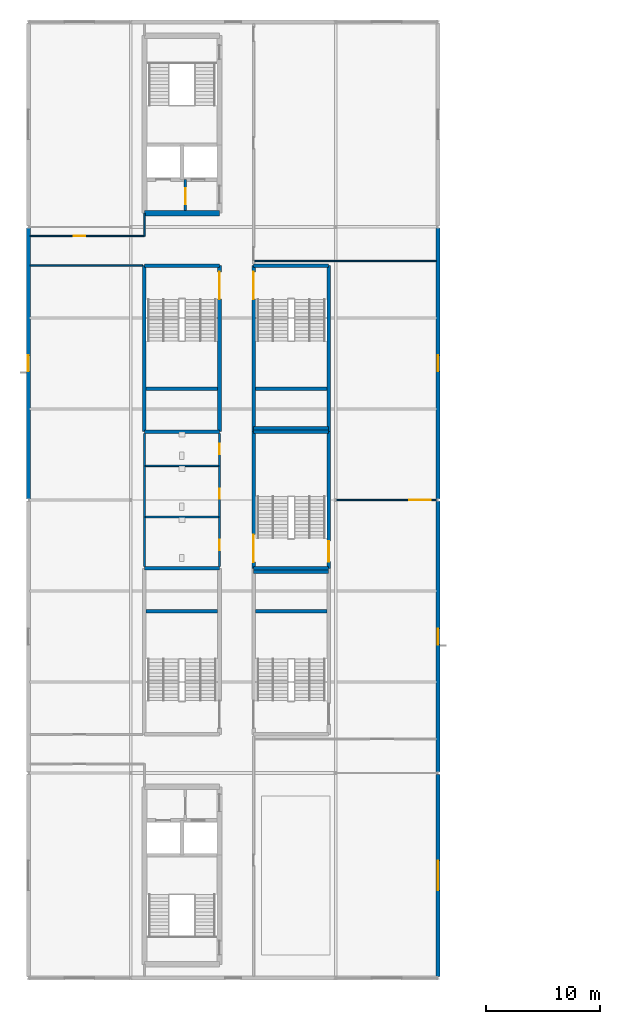
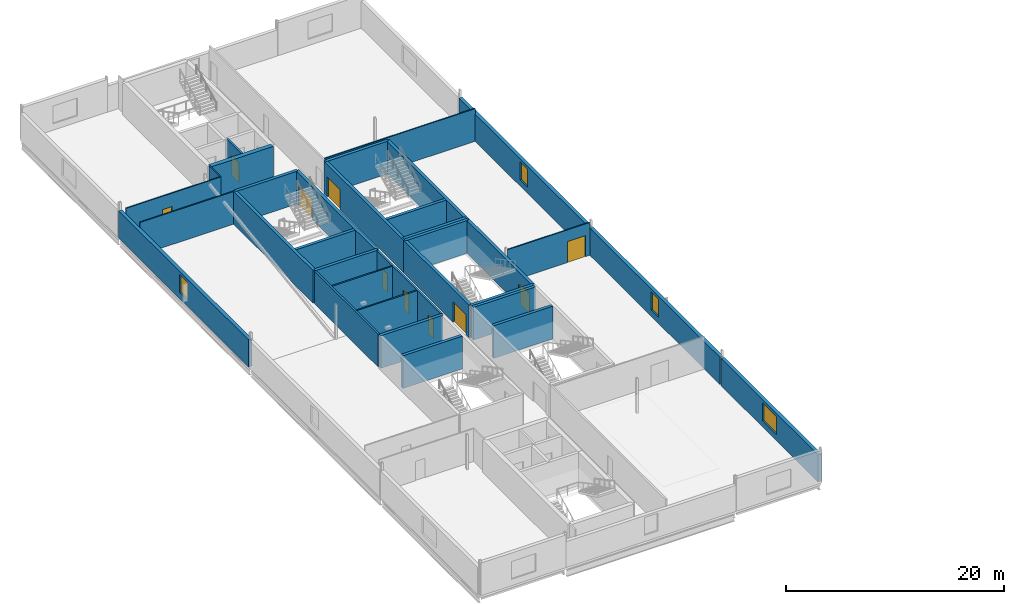
# One storey, part 20 of 35: 33 walls, 10 doors, 4 windows, 14 openings.
"""IFC4 building model written with IfcOpenShell, lengths in metres."""

from ifc_helpers import new_model, si_unit, direction, frame, frame_2d, origin, place, context, subcontext, project, spatial, rectangle, extrude, material, layer, layer_set, type_object, element, fill, save


model = new_model("IFC4")

# Units and contexts
model_context = context("Model", 3, precision=1e-05, world=origin(), true_north=direction((0.0, 1.0)))
body_context = subcontext(model_context, "Body", "Model", "MODEL_VIEW")
ifc_project = project(units=[si_unit("LENGTHUNIT", "METRE"), si_unit("AREAUNIT", "SQUARE_METRE"), si_unit("VOLUMEUNIT", "CUBIC_METRE"), si_unit("PLANEANGLEUNIT", "RADIAN"), si_unit("MASSUNIT", "GRAM", prefix="KILO")], contexts=[model_context])

# Site, building, storey
site_placement = place(None, origin())
site = spatial("IfcSite", under=ifc_project, at=site_placement, CompositionType="ELEMENT")
building_placement = place(site_placement, origin())
building = spatial("IfcBuilding", under=site, at=building_placement, Name="Kisiwana Market Hall", CompositionType="ELEMENT")
storey_placement = place(building_placement, frame((0.0, 0.0, 57.89990234375)))
storey = spatial("IfcBuildingStorey", under=building, at=storey_placement, Name="L13", CompositionType="ELEMENT", Elevation=57.89990234375)

# Wall, opening, door
ifc_material_1 = material(Name="Masonry blockwork", Category="masonry")
ifc_layer_1 = layer(ifc_material_1, 0.199951171875, Name="Plastered fire compartment block wall")
ifc_layer_set_1 = layer_set([ifc_layer_1], Name="WL-COMP-200")
wall_type_1 = type_object("IfcWallType", Name="WL-COMP-200", PredefinedType="PARTITIONING", material=ifc_layer_set_1)
wall_1_placement = place(storey_placement, frame((13.800048828125, 85.425048828125, 0.0), z_axis=(0.0, 0.0, 1.0), x_axis=(0.0, 1.0, 0.0)))
wall_1 = element("IfcWall", 1, at=wall_1_placement, inside=storey, type_object=wall_type_1, Name="Core W1 firefighting lobby wall W-3162", PredefinedType="PARTITIONING", context=body_context, shape_type="SweptSolid", body=[
    extrude(rectangle(XDim=2.72998046875, YDim=0.199951171875, at=frame_2d((1.364990234375, 0.0))), origin(), (0.0, 0.0, 1.0), 3.655029296875),
])
opening_1_placement = place(wall_1_placement, frame((0.550048828125, 0.0, 0.0)))
opening_1 = element("IfcOpeningElement", 2, at=opening_1_placement, cuts=wall_1, Name="Opening DR-L13-006", PredefinedType="OPENING", context=body_context, shape_type="SweptSolid", body=[
    extrude(rectangle(XDim=1.39990234375, YDim=2.25, at=frame_2d((0.699951171875, 1.125))), frame((0.0, 0.11181640625, 0.0), z_axis=(0.0, -1.0, 0.0), x_axis=(1.0, 0.0, 0.0)), (0.0, 0.0, 1.0), 0.223876953125),
])
ifc_material_2 = material(Name="Steel S275", Category="steel")
door_type_1 = type_object("IfcDoorType", Name="DR-FFLOB-FD120-1400", OperationType="DOUBLE_DOOR_SINGLE_SWING", PredefinedType="DOOR", material=ifc_material_2)
door_1_placement = place(opening_1_placement, frame((1.39990234375, 0.0, 0.0), z_axis=(0.0, 0.0, 1.0), x_axis=(-1.0, 0.0, 0.0)))
door_1 = element("IfcDoor", 3, at=door_1_placement, inside=storey, type_object=door_type_1, Name="Firefighting Lift Lobby W1 Door (L13)", OperationType="DOUBLE_DOOR_SINGLE_SWING", OverallHeight=2.25, OverallWidth=1.39990234375, PredefinedType="DOOR", context=body_context, shape_type="SweptSolid", body=[
    extrude(rectangle(XDim=1.39990234375, YDim=2.25, at=frame_2d((0.699951171875, 1.125))), frame((0.0, 0.02490234375, 0.0), z_axis=(0.0, -1.0, 0.0), x_axis=(1.0, 0.0, 0.0)), (0.0, 0.0, 1.0), 0.050048828125),
])
fill(opening_1, door_1)

# Wall
wall_2_placement = place(storey_placement, frame((10.199951171875, 54.159912109375, 0.0), z_axis=(0.0, 0.0, 1.0), x_axis=(0.0, 1.0, 0.0)))
element("IfcWall", 4, at=wall_2_placement, inside=storey, type_object=wall_type_1, Name="Interior partition W-3165", PredefinedType="PARTITIONING", context=body_context, shape_type="SweptSolid", body=[
    extrude(rectangle(XDim=11.68017578125, YDim=0.199951171875, at=frame_2d((5.840087890625, 0.0))), origin(), (0.0, 0.0, 1.0), 3.655029296875),
])

# Wall, openings, doors
wall_3_placement = place(storey_placement, frame((16.800048828125, 54.159912109375, 0.0), z_axis=(0.0, 0.0, 1.0), x_axis=(0.0, 1.0, 0.0)))
wall_3 = element("IfcWall", 5, at=wall_3_placement, inside=storey, type_object=wall_type_1, Name="Interior partition W-3166", PredefinedType="PARTITIONING", context=body_context, shape_type="SweptSolid", body=[
    extrude(rectangle(XDim=11.68017578125, YDim=0.199951171875, at=frame_2d((5.840087890625, 0.0))), origin(), (0.0, 0.0, 1.0), 3.655029296875),
])
opening_2_placement = place(wall_3_placement, frame((1.43994140625, 0.0, 0.0)))
opening_2 = element("IfcOpeningElement", 6, at=opening_2_placement, cuts=wall_3, Name="Opening DR-L13-027", PredefinedType="OPENING", context=body_context, shape_type="SweptSolid", body=[
    extrude(rectangle(XDim=0.89990234375, YDim=2.10009765625, at=frame_2d((0.449951171875, 1.050048828125))), frame((0.0, 0.11181640625, 0.0), z_axis=(0.0, -1.0, 0.0), x_axis=(1.0, 0.0, 0.0)), (0.0, 0.0, 1.0), 0.223876953125),
])
opening_3_placement = place(wall_3_placement, frame((5.93994140625, 0.0, 0.0)))
opening_3 = element("IfcOpeningElement", 7, at=opening_3_placement, cuts=wall_3, Name="Opening DR-L13-028", PredefinedType="OPENING", context=body_context, shape_type="SweptSolid", body=[
    extrude(rectangle(XDim=0.89990234375, YDim=2.10009765625, at=frame_2d((0.449951171875, 1.050048828125))), frame((0.0, 0.11181640625, 0.0), z_axis=(0.0, -1.0, 0.0), x_axis=(1.0, 0.0, 0.0)), (0.0, 0.0, 1.0), 0.223876953125),
])
opening_4_placement = place(wall_3_placement, frame((9.840087890625, 0.0, 0.0)))
opening_4 = element("IfcOpeningElement", 8, at=opening_4_placement, cuts=wall_3, Name="Opening DR-L13-029", PredefinedType="OPENING", context=body_context, shape_type="SweptSolid", body=[
    extrude(rectangle(XDim=0.949951171875, YDim=2.10009765625, at=frame_2d((0.47509765625, 1.050048828125))), frame((0.0, 0.11181640625, 0.0), z_axis=(0.0, -1.0, 0.0), x_axis=(1.0, 0.0, 0.0)), (0.0, 0.0, 1.0), 0.223876953125),
])
ifc_material_3 = material(Name="Aluminium alloy 6063-T6", Category="aluminium")
door_type_2 = type_object("IfcDoorType", Name="DR-WC-ACC-950", OperationType="NOTDEFINED", PredefinedType="DOOR", material=ifc_material_3)
door_2_placement = place(opening_4_placement, origin())
door_2 = element("IfcDoor", 9, at=door_2_placement, inside=storey, type_object=door_type_2, Name="L13 W Accessible WC Door", OperationType="SINGLE_SWING_RIGHT", OverallHeight=2.10009765625, OverallWidth=0.949951171875, PredefinedType="DOOR", context=body_context, shape_type="SweptSolid", body=[
    extrude(rectangle(XDim=0.949951171875, YDim=2.10009765625, at=frame_2d((0.47509765625, 1.050048828125))), frame((0.0, 0.02490234375, 0.0), z_axis=(0.0, -1.0, 0.0), x_axis=(1.0, 0.0, 0.0)), (0.0, 0.0, 1.0), 0.050048828125),
])
fill(opening_4, door_2)
ifc_material_4 = material(Name="Aluminium alloy 6063-T6", Category="aluminium")
door_type_3 = type_object("IfcDoorType", Name="DR-WC-STD-900", OperationType="NOTDEFINED", PredefinedType="DOOR", material=ifc_material_4)
door_3_placement = place(opening_2_placement, origin())
door_3 = element("IfcDoor", 10, at=door_3_placement, inside=storey, type_object=door_type_3, Name="L13 W Male Toilet Door", OperationType="SINGLE_SWING_LEFT", OverallHeight=2.10009765625, OverallWidth=0.89990234375, PredefinedType="DOOR", context=body_context, shape_type="SweptSolid", body=[
    extrude(rectangle(XDim=0.89990234375, YDim=2.10009765625, at=frame_2d((0.449951171875, 1.050048828125))), frame((0.0, 0.02490234375, 0.0), z_axis=(0.0, -1.0, 0.0), x_axis=(1.0, 0.0, 0.0)), (0.0, 0.0, 1.0), 0.050048828125),
])
fill(opening_2, door_3)
door_4_placement = place(opening_3_placement, origin())
door_4 = element("IfcDoor", 11, at=door_4_placement, inside=storey, type_object=door_type_3, Name="L13 W Female Toilet Door", OperationType="SINGLE_SWING_RIGHT", OverallHeight=2.10009765625, OverallWidth=0.89990234375, PredefinedType="DOOR", context=body_context, shape_type="SweptSolid", body=[
    extrude(rectangle(XDim=0.89990234375, YDim=2.10009765625, at=frame_2d((0.449951171875, 1.050048828125))), frame((0.0, 0.02490234375, 0.0), z_axis=(0.0, -1.0, 0.0), x_axis=(1.0, 0.0, 0.0)), (0.0, 0.0, 1.0), 0.050048828125),
])
fill(opening_3, door_4)

# Walls
ifc_material_5 = material(Name="Concrete C40/50", Category="concrete")
ifc_layer_2 = layer(ifc_material_5, 0.320068359375, Name="Reinforced concrete shaft wall")
ifc_layer_set_2 = layer_set([ifc_layer_2], Name="WL-CORE-320")
wall_type_2 = type_object("IfcWallType", Name="WL-CORE-320", PredefinedType="SHEAR", material=ifc_layer_set_2)
wall_4_placement = place(storey_placement, frame((10.199951171875, 54.0, 0.0), z_axis=(0.0, 0.0, 1.0), x_axis=(1.0, 0.0, 0.0)))
element("IfcWall", 12, at=wall_4_placement, inside=storey, type_object=wall_type_2, Name="Core W3 north shear wall W-3086", PredefinedType="SHEAR", context=body_context, shape_type="SweptSolid", body=[
    extrude(rectangle(XDim=6.60009765625, YDim=0.320068359375, at=frame_2d((3.300048828125, 0.0))), origin(), (0.0, 0.0, 1.0), 3.655029296875),
])
wall_5_placement = place(storey_placement, frame((10.360107421875, 50.219970703125, 0.0), z_axis=(0.0, 0.0, 1.0), x_axis=(1.0, 0.0, 0.0)))
element("IfcWall", 13, at=wall_5_placement, inside=storey, type_object=wall_type_2, Name="Core W3 riser divider shear wall W-3089", PredefinedType="SHEAR", context=body_context, shape_type="SweptSolid", body=[
    extrude(rectangle(XDim=6.27978515625, YDim=0.320068359375, at=frame_2d((3.139892578125, 0.0))), origin(), (0.0, 0.0, 1.0), 3.655029296875),
])
for number, where, z_axis, x_axis, name in (
    (14, (10.199951171875, 66.0, 0.0), (0.0, 0.0, 1.0), (1.0, 0.0, 0.0), "Core W4 south shear wall W-3090"),
    (15, (10.199951171875, 80.60009765625, 0.0), (0.0, 0.0, 1.0), (1.0, 0.0, 0.0), "Core W4 north shear wall W-3091"),
):
    element("IfcWall", number, at=place(storey_placement, frame(where, z_axis=z_axis, x_axis=x_axis)), inside=storey, type_object=wall_type_2, Name=name, PredefinedType="SHEAR", context=body_context, shape_type="SweptSolid", body=[
        extrude(rectangle(XDim=6.60009765625, YDim=0.320068359375, at=frame_2d((3.300048828125, 0.0))), origin(), (0.0, 0.0, 1.0), 3.655029296875),
    ])
wall_6_placement = place(storey_placement, frame((10.199951171875, 66.0, 0.0), z_axis=(0.0, 0.0, 1.0), x_axis=(0.0, 1.0, 0.0)))
element("IfcWall", 16, at=wall_6_placement, inside=storey, type_object=wall_type_2, Name="Core W4 outer shear wall W-3092", PredefinedType="SHEAR", context=body_context, shape_type="SweptSolid", body=[
    extrude(rectangle(XDim=14.60009765625, YDim=0.320068359375, at=frame_2d((7.300048828125, 0.0))), origin(), (0.0, 0.0, 1.0), 3.655029296875),
])

# Wall, opening, door
wall_7_placement = place(storey_placement, frame((16.800048828125, 66.0, 0.0), z_axis=(0.0, 0.0, 1.0), x_axis=(0.0, 1.0, 0.0)))
wall_7 = element("IfcWall", 17, at=wall_7_placement, inside=storey, type_object=wall_type_2, Name="Core W4 corridor shear wall W-3093", PredefinedType="SHEAR", context=body_context, shape_type="SweptSolid", body=[
    extrude(rectangle(XDim=14.60009765625, YDim=0.320068359375, at=frame_2d((7.300048828125, 0.0))), origin(), (0.0, 0.0, 1.0), 3.655029296875),
])
opening_5_placement = place(wall_7_placement, frame((11.64990234375, 0.0, 0.0)))
opening_5 = element("IfcOpeningElement", 18, at=opening_5_placement, cuts=wall_7, Name="Opening DR-L13-014", PredefinedType="OPENING", context=body_context, shape_type="SweptSolid", body=[
    extrude(rectangle(XDim=2.39990234375, YDim=2.25, at=frame_2d((1.199951171875, 1.125))), frame((0.0, 0.171875, 0.0), z_axis=(0.0, -1.0, 0.0), x_axis=(1.0, 0.0, 0.0)), (0.0, 0.0, 1.0), 0.343994140625),
])
ifc_material_6 = material(Name="Steel S275", Category="steel")
door_type_4 = type_object("IfcDoorType", Name="DR-STAIR-FD120-2400", OperationType="DOUBLE_DOOR_SINGLE_SWING", PredefinedType="DOOR", material=ifc_material_6)
door_5_placement = place(opening_5_placement, origin())
door_5 = element("IfcDoor", 19, at=door_5_placement, inside=storey, type_object=door_type_4, Name="Escape Stair W4 Fire Door (L13)", OperationType="DOUBLE_DOOR_SINGLE_SWING", OverallHeight=2.25, OverallWidth=2.39990234375, PredefinedType="DOOR", context=body_context, shape_type="SweptSolid", body=[
    extrude(rectangle(XDim=2.39990234375, YDim=2.25, at=frame_2d((1.199951171875, 1.125))), frame((0.0, 0.02490234375, 0.0), z_axis=(0.0, -1.0, 0.0), x_axis=(1.0, 0.0, 0.0)), (0.0, 0.0, 1.0), 0.050048828125),
])
fill(opening_5, door_5)

# Walls
wall_8_placement = place(storey_placement, frame((10.360107421875, 69.780029296875, 0.0), z_axis=(0.0, 0.0, 1.0), x_axis=(1.0, 0.0, 0.0)))
element("IfcWall", 20, at=wall_8_placement, inside=storey, type_object=wall_type_2, Name="Core W4 riser divider shear wall W-3094", PredefinedType="SHEAR", context=body_context, shape_type="SweptSolid", body=[
    extrude(rectangle(XDim=6.27978515625, YDim=0.320068359375, at=frame_2d((3.139892578125, 0.0))), origin(), (0.0, 0.0, 1.0), 3.655029296875),
])
wall_9_placement = place(storey_placement, frame((19.800048828125, 54.0, 0.0), z_axis=(0.0, 0.0, 1.0), x_axis=(1.0, 0.0, 0.0)))
element("IfcWall", 21, at=wall_9_placement, inside=storey, type_object=wall_type_2, Name="Core W7 north shear wall W-3106", PredefinedType="SHEAR", context=body_context, shape_type="SweptSolid", body=[
    extrude(rectangle(XDim=6.599853515625, YDim=0.320068359375, at=frame_2d((3.2998046875, 0.0))), origin(), (0.0, 0.0, 1.0), 3.655029296875),
])
wall_10_placement = place(storey_placement, frame((19.9599609375, 50.219970703125, 0.0), z_axis=(0.0, 0.0, 1.0), x_axis=(1.0, 0.0, 0.0)))
element("IfcWall", 22, at=wall_10_placement, inside=storey, type_object=wall_type_2, Name="Core W7 riser divider shear wall W-3109", PredefinedType="SHEAR", context=body_context, shape_type="SweptSolid", body=[
    extrude(rectangle(XDim=6.280029296875, YDim=0.320068359375, at=frame_2d((3.14013671875, 0.0))), origin(), (0.0, 0.0, 1.0), 3.655029296875),
])
for number, where, z_axis, x_axis, name in (
    (23, (19.800048828125, 66.0, 0.0), (0.0, 0.0, 1.0), (1.0, 0.0, 0.0), "Core W8 south shear wall W-3115"),
    (24, (19.800048828125, 80.60009765625, 0.0), (0.0, 0.0, 1.0), (1.0, 0.0, 0.0), "Core W8 north shear wall W-3116"),
):
    element("IfcWall", number, at=place(storey_placement, frame(where, z_axis=z_axis, x_axis=x_axis)), inside=storey, type_object=wall_type_2, Name=name, PredefinedType="SHEAR", context=body_context, shape_type="SweptSolid", body=[
        extrude(rectangle(XDim=6.599853515625, YDim=0.320068359375, at=frame_2d((3.2998046875, 0.0))), origin(), (0.0, 0.0, 1.0), 3.655029296875),
    ])

# Wall, opening, door
wall_11_placement = place(storey_placement, frame((19.800048828125, 66.0, 0.0), z_axis=(0.0, 0.0, 1.0), x_axis=(0.0, 1.0, 0.0)))
wall_11 = element("IfcWall", 25, at=wall_11_placement, inside=storey, type_object=wall_type_2, Name="Core W8 corridor shear wall W-3117", PredefinedType="SHEAR", context=body_context, shape_type="SweptSolid", body=[
    extrude(rectangle(XDim=14.60009765625, YDim=0.320068359375, at=frame_2d((7.300048828125, 0.0))), origin(), (0.0, 0.0, 1.0), 3.655029296875),
])
opening_6_placement = place(wall_11_placement, frame((11.64990234375, 0.0, 0.0)))
opening_6 = element("IfcOpeningElement", 26, at=opening_6_placement, cuts=wall_11, Name="Opening DR-L13-021", PredefinedType="OPENING", context=body_context, shape_type="SweptSolid", body=[
    extrude(rectangle(XDim=2.39990234375, YDim=2.25, at=frame_2d((1.199951171875, 1.125))), frame((0.0, 0.171875, 0.0), z_axis=(0.0, -1.0, 0.0), x_axis=(1.0, 0.0, 0.0)), (0.0, 0.0, 1.0), 0.343994140625),
])
door_6_placement = place(opening_6_placement, frame((2.39990234375, 0.0, 0.0), z_axis=(0.0, 0.0, 1.0), x_axis=(-1.0, 0.0, 0.0)))
door_6 = element("IfcDoor", 27, at=door_6_placement, inside=storey, type_object=door_type_4, Name="Escape Stair W8 Fire Door (L13)", OperationType="DOUBLE_DOOR_SINGLE_SWING", OverallHeight=2.25, OverallWidth=2.39990234375, PredefinedType="DOOR", context=body_context, shape_type="SweptSolid", body=[
    extrude(rectangle(XDim=2.39990234375, YDim=2.25, at=frame_2d((1.199951171875, 1.125))), frame((0.0, 0.02490234375, 0.0), z_axis=(0.0, -1.0, 0.0), x_axis=(1.0, 0.0, 0.0)), (0.0, 0.0, 1.0), 0.050048828125),
])
fill(opening_6, door_6)

# Walls
wall_12_placement = place(storey_placement, frame((26.39990234375, 66.0, 0.0), z_axis=(0.0, 0.0, 1.0), x_axis=(0.0, 1.0, 0.0)))
element("IfcWall", 28, at=wall_12_placement, inside=storey, type_object=wall_type_2, Name="Core W8 outer shear wall W-3118", PredefinedType="SHEAR", context=body_context, shape_type="SweptSolid", body=[
    extrude(rectangle(XDim=14.60009765625, YDim=0.320068359375, at=frame_2d((7.300048828125, 0.0))), origin(), (0.0, 0.0, 1.0), 3.655029296875),
])
wall_13_placement = place(storey_placement, frame((19.9599609375, 69.780029296875, 0.0), z_axis=(0.0, 0.0, 1.0), x_axis=(1.0, 0.0, 0.0)))
element("IfcWall", 29, at=wall_13_placement, inside=storey, type_object=wall_type_2, Name="Core W8 riser divider shear wall W-3119", PredefinedType="SHEAR", context=body_context, shape_type="SweptSolid", body=[
    extrude(rectangle(XDim=6.280029296875, YDim=0.320068359375, at=frame_2d((3.14013671875, 0.0))), origin(), (0.0, 0.0, 1.0), 3.655029296875),
])
for number, where, z_axis, x_axis, name in (
    (30, (19.800048828125, 53.679931640625, 0.0), (0.0, 0.0, 1.0), (1.0, 0.0, 0.0), "Core W5 south shear wall W-3125"),
    (31, (19.800048828125, 66.320068359375, 0.0), (0.0, 0.0, 1.0), (1.0, 0.0, 0.0), "Core W5 north shear wall W-3126"),
):
    element("IfcWall", number, at=place(storey_placement, frame(where, z_axis=z_axis, x_axis=x_axis)), inside=storey, type_object=wall_type_2, Name=name, PredefinedType="SHEAR", context=body_context, shape_type="SweptSolid", body=[
        extrude(rectangle(XDim=6.599853515625, YDim=0.320068359375, at=frame_2d((3.2998046875, 0.0))), origin(), (0.0, 0.0, 1.0), 3.655029296875),
    ])

# Wall, opening, door
wall_14_placement = place(storey_placement, frame((19.800048828125, 54.0, 0.0), z_axis=(0.0, 0.0, 1.0), x_axis=(0.0, 1.0, 0.0)))
wall_14 = element("IfcWall", 32, at=wall_14_placement, inside=storey, type_object=wall_type_2, Name="Core W5 corridor shear wall W-3127", PredefinedType="SHEAR", context=body_context, shape_type="SweptSolid", body=[
    extrude(rectangle(XDim=12.0, YDim=0.320068359375, at=frame_2d((6.0, 0.0))), origin(), (0.0, 0.0, 1.0), 3.655029296875),
])
opening_7_placement = place(wall_14_placement, frame((0.550048828125, 0.0, 0.0)))
opening_7 = element("IfcOpeningElement", 33, at=opening_7_placement, cuts=wall_14, Name="Opening DR-L13-023", PredefinedType="OPENING", context=body_context, shape_type="SweptSolid", body=[
    extrude(rectangle(XDim=2.39990234375, YDim=2.25, at=frame_2d((1.199951171875, 1.125))), frame((0.0, 0.171875, 0.0), z_axis=(0.0, -1.0, 0.0), x_axis=(1.0, 0.0, 0.0)), (0.0, 0.0, 1.0), 0.343994140625),
])
door_7_placement = place(opening_7_placement, frame((2.39990234375, 0.0, 0.0), z_axis=(0.0, 0.0, 1.0), x_axis=(-1.0, 0.0, 0.0)))
door_7 = element("IfcDoor", 34, at=door_7_placement, inside=storey, type_object=door_type_4, Name="Escape Stair W5 Fire Door (L13)", OperationType="DOUBLE_DOOR_SINGLE_SWING", OverallHeight=2.25, OverallWidth=2.39990234375, PredefinedType="DOOR", context=body_context, shape_type="SweptSolid", body=[
    extrude(rectangle(XDim=2.39990234375, YDim=2.25, at=frame_2d((1.199951171875, 1.125))), frame((0.0, 0.02490234375, 0.0), z_axis=(0.0, -1.0, 0.0), x_axis=(1.0, 0.0, 0.0)), (0.0, 0.0, 1.0), 0.050048828125),
])
fill(opening_7, door_7)

wall_15_placement = place(storey_placement, frame((26.39990234375, 54.0, 0.0), z_axis=(0.0, 0.0, 1.0), x_axis=(0.0, 1.0, 0.0)))
wall_15 = element("IfcWall", 35, at=wall_15_placement, inside=storey, type_object=wall_type_2, Name="Core W5 outer shear wall W-3128", PredefinedType="SHEAR", context=body_context, shape_type="SweptSolid", body=[
    extrude(rectangle(XDim=12.0, YDim=0.320068359375, at=frame_2d((6.0, 0.0))), origin(), (0.0, 0.0, 1.0), 3.655029296875),
])
opening_8_placement = place(wall_15_placement, frame((0.580078125, 0.0, 0.0)))
opening_8 = element("IfcOpeningElement", 36, at=opening_8_placement, cuts=wall_15, Name="Opening DR-L13-024", PredefinedType="OPENING", context=body_context, shape_type="SweptSolid", body=[
    extrude(rectangle(XDim=1.800048828125, YDim=2.25, at=frame_2d((0.89990234375, 1.125))), frame((0.0, 0.171875, 0.0), z_axis=(0.0, -1.0, 0.0), x_axis=(1.0, 0.0, 0.0)), (0.0, 0.0, 1.0), 0.343994140625),
])
ifc_material_7 = material(Name="Steel S275", Category="steel")
door_type_5 = type_object("IfcDoorType", Name="DR-STAIR-FD120-1800", OperationType="DOUBLE_DOOR_SINGLE_SWING", PredefinedType="DOOR", material=ifc_material_7)
door_8_placement = place(opening_8_placement, origin())
door_8 = element("IfcDoor", 37, at=door_8_placement, inside=storey, type_object=door_type_5, Name="Escape Stair W5 Room Door (L13)", OperationType="DOUBLE_DOOR_SINGLE_SWING", OverallHeight=2.25, OverallWidth=1.800048828125, PredefinedType="DOOR", context=body_context, shape_type="SweptSolid", body=[
    extrude(rectangle(XDim=1.800048828125, YDim=2.25, at=frame_2d((0.89990234375, 1.125))), frame((0.0, 0.02490234375, 0.0), z_axis=(0.0, -1.0, 0.0), x_axis=(1.0, 0.0, 0.0)), (0.0, 0.0, 1.0), 0.050048828125),
])
fill(opening_8, door_8)

# Wall
ifc_material_8 = material(Name="Concrete C40/50", Category="concrete")
ifc_layer_3 = layer(ifc_material_8, 0.449951171875, Name="Reinforced concrete core wall")
ifc_layer_set_3 = layer_set([ifc_layer_3], Name="WL-CORE-450")
wall_type_3 = type_object("IfcWallType", Name="WL-CORE-450", PredefinedType="SHEAR", material=ifc_layer_set_3)
wall_16_placement = place(storey_placement, frame((10.199951171875, 85.199951171875, 0.0), z_axis=(0.0, 0.0, 1.0), x_axis=(1.0, 0.0, 0.0)))
element("IfcWall", 38, at=wall_16_placement, inside=storey, type_object=wall_type_3, Name="Core W1 south shear wall W-3058", PredefinedType="SHEAR", context=body_context, shape_type="SweptSolid", body=[
    extrude(rectangle(XDim=6.60009765625, YDim=0.449951171875, at=frame_2d((3.300048828125, 0.0))), origin(), (0.0, 0.0, 1.0), 3.655029296875),
])

# Wall, opening, window
ifc_material_9 = material(Name="Concrete C40/50 precast", Category="concrete")
ifc_layer_4 = layer(ifc_material_9, 0.364990234375)
ifc_layer_set_4 = layer_set([ifc_layer_4], Name="WL-EXT-365")
wall_type_4 = type_object("IfcWallType", Name="WL-EXT-365", PredefinedType="STANDARD", material=ifc_layer_set_4)
wall_17_placement = place(storey_placement, frame((0.0, 60.107666015625, 0.0), z_axis=(0.0, 0.0, 1.0), x_axis=(0.0, 1.0, 0.0)))
wall_17 = element("IfcWall", 39, at=wall_17_placement, inside=storey, type_object=wall_type_4, Name="Exterior wall W-3147", PredefinedType="STANDARD", context=body_context, shape_type="SweptSolid", body=[
    extrude(rectangle(XDim=23.78466796875, YDim=0.364990234375, at=frame_2d((11.892333984375, 0.0))), origin(), (0.0, 0.0, 1.0), 3.04296875),
])
opening_9_placement = place(wall_17_placement, frame((11.1923828125, 0.0, 0.699951171875)))
opening_9 = element("IfcOpeningElement", 40, at=opening_9_placement, cuts=wall_17, Name="Opening WN-05", PredefinedType="OPENING", context=body_context, shape_type="SweptSolid", body=[
    extrude(rectangle(XDim=1.39990234375, YDim=2.0, at=frame_2d((0.699951171875, 1.0))), frame((0.0, 0.1943359375, 0.0), z_axis=(0.0, -1.0, 0.0), x_axis=(1.0, 0.0, 0.0)), (0.0, 0.0, 1.0), 0.388916015625),
])
ifc_material_10 = material(Name="Double-glazed solar-control low-E IGU", Category="glass")
window_type_1 = type_object("IfcWindowType", Name="WN-OFFC-1400x2000", PartitioningType="SINGLE_PANEL", PredefinedType="WINDOW", material=ifc_material_10)
window_1_placement = place(opening_9_placement, origin())
window_1 = element("IfcWindow", 41, at=window_1_placement, inside=storey, type_object=window_type_1, Name="Exterior window WN-359", OverallHeight=2.0, OverallWidth=1.39990234375, PartitioningType="SINGLE_PANEL", PredefinedType="WINDOW", context=body_context, shape_type="SweptSolid", body=[
    extrude(rectangle(XDim=1.39990234375, YDim=2.0, at=frame_2d((0.699951171875, 1.0))), frame((0.0, 0.030029296875, 0.0), z_axis=(0.0, -1.0, 0.0), x_axis=(1.0, 0.0, 0.0)), (0.0, 0.0, 1.0), 0.06005859375),
])
fill(opening_9, window_1)

wall_18_placement = place(storey_placement, frame((36.0, 18.107666015625, 0.0), z_axis=(0.0, 0.0, 1.0), x_axis=(0.0, 1.0, 0.0)))
wall_18 = element("IfcWall", 42, at=wall_18_placement, inside=storey, type_object=wall_type_4, Name="Exterior wall W-3149", PredefinedType="STANDARD", context=body_context, shape_type="SweptSolid", body=[
    extrude(rectangle(XDim=17.78466796875, YDim=0.364990234375, at=frame_2d((8.892333984375, 0.0))), origin(), (0.0, 0.0, 1.0), 3.04296875),
])
opening_10_placement = place(wall_18_placement, frame((7.59228515625, 0.0, 0.699951171875)))
opening_10 = element("IfcOpeningElement", 43, at=opening_10_placement, cuts=wall_18, Name="Opening WN-13", PredefinedType="OPENING", context=body_context, shape_type="SweptSolid", body=[
    extrude(rectangle(XDim=2.60009765625, YDim=2.0, at=frame_2d((1.300048828125, 1.0))), frame((0.0, 0.1943359375, 0.0), z_axis=(0.0, -1.0, 0.0), x_axis=(1.0, 0.0, 0.0)), (0.0, 0.0, 1.0), 0.388916015625),
])
ifc_material_11 = material(Name="Double-glazed solar-control low-E IGU", Category="glass")
window_type_2 = type_object("IfcWindowType", Name="WN-OFFC-2600x2000", PartitioningType="SINGLE_PANEL", PredefinedType="WINDOW", material=ifc_material_11)
window_2_placement = place(opening_10_placement, origin())
window_2 = element("IfcWindow", 44, at=window_2_placement, inside=storey, type_object=window_type_2, Name="Exterior window WN-376", OverallHeight=2.0, OverallWidth=2.60009765625, PartitioningType="SINGLE_PANEL", PredefinedType="WINDOW", context=body_context, shape_type="SweptSolid", body=[
    extrude(rectangle(XDim=2.60009765625, YDim=2.0, at=frame_2d((1.300048828125, 1.0))), frame((0.0, 0.030029296875, 0.0), z_axis=(0.0, -1.0, 0.0), x_axis=(1.0, 0.0, 0.0)), (0.0, 0.0, 1.0), 0.06005859375),
])
fill(opening_10, window_2)

wall_19_placement = place(storey_placement, frame((36.0, 36.107666015625, 0.0), z_axis=(0.0, 0.0, 1.0), x_axis=(0.0, 1.0, 0.0)))
wall_19 = element("IfcWall", 45, at=wall_19_placement, inside=storey, type_object=wall_type_4, Name="Exterior wall W-3150", PredefinedType="STANDARD", context=body_context, shape_type="SweptSolid", body=[
    extrude(rectangle(XDim=23.78466796875, YDim=0.364990234375, at=frame_2d((11.892333984375, 0.0))), origin(), (0.0, 0.0, 1.0), 3.04296875),
])
opening_11_placement = place(wall_19_placement, frame((11.1923828125, 0.0, 0.699951171875)))
opening_11 = element("IfcOpeningElement", 46, at=opening_11_placement, cuts=wall_19, Name="Opening WN-05", PredefinedType="OPENING", context=body_context, shape_type="SweptSolid", body=[
    extrude(rectangle(XDim=1.39990234375, YDim=2.0, at=frame_2d((0.699951171875, 1.0))), frame((0.0, 0.1943359375, 0.0), z_axis=(0.0, -1.0, 0.0), x_axis=(1.0, 0.0, 0.0)), (0.0, 0.0, 1.0), 0.388916015625),
])
window_3_placement = place(opening_11_placement, origin())
window_3 = element("IfcWindow", 47, at=window_3_placement, inside=storey, type_object=window_type_1, Name="Exterior window WN-360", OverallHeight=2.0, OverallWidth=1.39990234375, PartitioningType="SINGLE_PANEL", PredefinedType="WINDOW", context=body_context, shape_type="SweptSolid", body=[
    extrude(rectangle(XDim=1.39990234375, YDim=2.0, at=frame_2d((0.699951171875, 1.0))), frame((0.0, 0.030029296875, 0.0), z_axis=(0.0, -1.0, 0.0), x_axis=(1.0, 0.0, 0.0)), (0.0, 0.0, 1.0), 0.06005859375),
])
fill(opening_11, window_3)

wall_20_placement = place(storey_placement, frame((36.0, 60.107666015625, 0.0), z_axis=(0.0, 0.0, 1.0), x_axis=(0.0, 1.0, 0.0)))
wall_20 = element("IfcWall", 48, at=wall_20_placement, inside=storey, type_object=wall_type_4, Name="Exterior wall W-3151", PredefinedType="STANDARD", context=body_context, shape_type="SweptSolid", body=[
    extrude(rectangle(XDim=23.78466796875, YDim=0.364990234375, at=frame_2d((11.892333984375, 0.0))), origin(), (0.0, 0.0, 1.0), 3.04296875),
])
opening_12_placement = place(wall_20_placement, frame((11.1923828125, 0.0, 0.699951171875)))
opening_12 = element("IfcOpeningElement", 49, at=opening_12_placement, cuts=wall_20, Name="Opening WN-05", PredefinedType="OPENING", context=body_context, shape_type="SweptSolid", body=[
    extrude(rectangle(XDim=1.39990234375, YDim=2.0, at=frame_2d((0.699951171875, 1.0))), frame((0.0, 0.1943359375, 0.0), z_axis=(0.0, -1.0, 0.0), x_axis=(1.0, 0.0, 0.0)), (0.0, 0.0, 1.0), 0.388916015625),
])
window_4_placement = place(opening_12_placement, origin())
window_4 = element("IfcWindow", 50, at=window_4_placement, inside=storey, type_object=window_type_1, Name="Exterior window WN-361", OverallHeight=2.0, OverallWidth=1.39990234375, PartitioningType="SINGLE_PANEL", PredefinedType="WINDOW", context=body_context, shape_type="SweptSolid", body=[
    extrude(rectangle(XDim=1.39990234375, YDim=2.0, at=frame_2d((0.699951171875, 1.0))), frame((0.0, 0.030029296875, 0.0), z_axis=(0.0, -1.0, 0.0), x_axis=(1.0, 0.0, 0.0)), (0.0, 0.0, 1.0), 0.06005859375),
])
fill(opening_12, window_4)

# Walls
ifc_material_12 = material(Name="Gypsum plasterboard")
ifc_layer_5 = layer(ifc_material_12, 0.125, Name="Double gypsum board + acoustic stud")
ifc_layer_set_5 = layer_set([ifc_layer_5], Name="WL-OFF-125")
wall_type_5 = type_object("IfcWallType", Name="WL-OFF-125", PredefinedType="PARTITIONING", material=ifc_layer_set_5)
wall_21_placement = place(storey_placement, frame((10.199951171875, 83.199951171875, 0.0), z_axis=(0.0, 0.0, 1.0), x_axis=(0.0, 1.0, 0.0)))
element("IfcWall", 51, at=wall_21_placement, inside=storey, type_object=wall_type_5, Name="Interior partition W-3170", PredefinedType="PARTITIONING", context=body_context, shape_type="SweptSolid", body=[
    extrude(rectangle(XDim=2.0, YDim=0.125, at=frame_2d((1.0, 0.0))), origin(), (0.0, 0.0, 1.0), 3.655029296875),
])
wall_22_placement = place(storey_placement, frame((0.157470703125, 80.60009765625, 0.0), z_axis=(0.0, 0.0, 1.0), x_axis=(1.0, 0.0, 0.0)))
element("IfcWall", 52, at=wall_22_placement, inside=storey, type_object=wall_type_5, Name="Interior partition W-3175", PredefinedType="PARTITIONING", context=body_context, shape_type="SweptSolid", body=[
    extrude(rectangle(XDim=9.882568359375, YDim=0.125, at=frame_2d((4.94140625, 0.0))), origin(), (0.0, 0.0, 1.0), 3.655029296875),
])

# Wall, opening, door
wall_23_placement = place(storey_placement, frame((0.157470703125, 83.199951171875, 0.0), z_axis=(0.0, 0.0, 1.0), x_axis=(1.0, 0.0, 0.0)))
wall_23 = element("IfcWall", 53, at=wall_23_placement, inside=storey, type_object=wall_type_5, Name="Interior partition W-3176", PredefinedType="PARTITIONING", context=body_context, shape_type="SweptSolid", body=[
    extrude(rectangle(XDim=10.04248046875, YDim=0.125, at=frame_2d((5.021240234375, 0.0))), origin(), (0.0, 0.0, 1.0), 3.655029296875),
])
opening_13_placement = place(wall_23_placement, frame((3.842041015625, 0.0, 0.0)))
opening_13 = element("IfcOpeningElement", 54, at=opening_13_placement, cuts=wall_23, Name="Opening DR-L13-032", PredefinedType="OPENING", context=body_context, shape_type="SweptSolid", body=[
    extrude(rectangle(XDim=1.0, YDim=2.14990234375, at=frame_2d((0.5, 1.074951171875))), frame((0.0, 0.074462890625, 0.0), z_axis=(0.0, -1.0, 0.0), x_axis=(1.0, 0.0, 0.0)), (0.0, 0.0, 1.0), 0.14892578125),
])
ifc_material_13 = material(Name="Aluminium alloy 6063-T6", Category="aluminium")
door_type_6 = type_object("IfcDoorType", Name="DR-OFF-1000", OperationType="NOTDEFINED", PredefinedType="DOOR", material=ifc_material_13)
door_9_placement = place(opening_13_placement, origin())
door_9 = element("IfcDoor", 55, at=door_9_placement, inside=storey, type_object=door_type_6, Name="L13 W Commercial Office North Door", OperationType="SINGLE_SWING_LEFT", OverallHeight=2.14990234375, OverallWidth=1.0, PredefinedType="DOOR", context=body_context, shape_type="SweptSolid", body=[
    extrude(rectangle(XDim=1.0, YDim=2.14990234375, at=frame_2d((0.5, 1.074951171875))), frame((0.0, 0.02490234375, 0.0), z_axis=(0.0, -1.0, 0.0), x_axis=(1.0, 0.0, 0.0)), (0.0, 0.0, 1.0), 0.050048828125),
])
fill(opening_13, door_9)

wall_24_placement = place(storey_placement, frame((27.111083984375, 60.0, 0.0), z_axis=(0.0, 0.0, 1.0), x_axis=(1.0, 0.0, 0.0)))
wall_24 = element("IfcWall", 56, at=wall_24_placement, inside=storey, type_object=wall_type_5, Name="Interior partition W-3178", PredefinedType="PARTITIONING", context=body_context, shape_type="SweptSolid", body=[
    extrude(rectangle(XDim=8.7314453125, YDim=0.125, at=frame_2d((4.36572265625, 0.0))), origin(), (0.0, 0.0, 1.0), 3.655029296875),
])
opening_14_placement = place(wall_24_placement, frame((6.35009765625, 0.0, 0.0)))
opening_14 = element("IfcOpeningElement", 57, at=opening_14_placement, cuts=wall_24, Name="Opening DR-L13-034", PredefinedType="OPENING", context=body_context, shape_type="SweptSolid", body=[
    extrude(rectangle(XDim=1.89990234375, YDim=2.35009765625, at=frame_2d((0.949951171875, 1.175048828125))), frame((0.0, 0.074462890625, 0.0), z_axis=(0.0, -1.0, 0.0), x_axis=(1.0, 0.0, 0.0)), (0.0, 0.0, 1.0), 0.14892578125),
])
ifc_material_14 = material(Name="Steel S275", Category="steel")
door_type_7 = type_object("IfcDoorType", Name="DR-HALL-1900", OperationType="DOUBLE_DOOR_SINGLE_SWING", PredefinedType="DOOR", material=ifc_material_14)
door_10_placement = place(opening_14_placement, origin())
door_10 = element("IfcDoor", 58, at=door_10_placement, inside=storey, type_object=door_type_7, Name="L13 W Director Boardroom C2 Exit Door", OperationType="DOUBLE_DOOR_SINGLE_SWING", OverallHeight=2.35009765625, OverallWidth=1.89990234375, PredefinedType="DOOR", context=body_context, shape_type="SweptSolid", body=[
    extrude(rectangle(XDim=1.89990234375, YDim=2.35009765625, at=frame_2d((0.949951171875, 1.175048828125))), frame((0.0, 0.02490234375, 0.0), z_axis=(0.0, -1.0, 0.0), x_axis=(1.0, 0.0, 0.0)), (0.0, 0.0, 1.0), 0.050048828125),
])
fill(opening_14, door_10)

# Walls
wall_25_placement = place(storey_placement, frame((19.885009765625, 81.0, 0.0), z_axis=(0.0, 0.0, 1.0), x_axis=(1.0, 0.0, 0.0)))
element("IfcWall", 59, at=wall_25_placement, inside=storey, type_object=wall_type_5, Name="Interior partition W-3179", PredefinedType="PARTITIONING", context=body_context, shape_type="SweptSolid", body=[
    extrude(rectangle(XDim=15.95751953125, YDim=0.125, at=frame_2d((7.978759765625, 0.0))), origin(), (0.0, 0.0, 1.0), 3.655029296875),
])
ifc_material_15 = material(Name="Masonry blockwork", Category="masonry")
ifc_layer_6 = layer(ifc_material_15, 0.14990234375, Name="Water-resistant sanitary block wall")
ifc_layer_set_6 = layer_set([ifc_layer_6], Name="WL-WET-150")
wall_type_6 = type_object("IfcWallType", Name="WL-WET-150", PredefinedType="PARTITIONING", material=ifc_layer_set_6)
for number, where, z_axis, x_axis, name in (
    (60, (10.284912109375, 58.5, 0.0), (0.0, 0.0, 1.0), (1.0, 0.0, 0.0), "Interior partition W-3167"),
    (61, (10.284912109375, 63.0, 0.0), (0.0, 0.0, 1.0), (1.0, 0.0, 0.0), "Interior partition W-3168"),
):
    element("IfcWall", number, at=place(storey_placement, frame(where, z_axis=z_axis, x_axis=x_axis)), inside=storey, type_object=wall_type_6, Name=name, PredefinedType="PARTITIONING", context=body_context, shape_type="SweptSolid", body=[
        extrude(rectangle(XDim=6.43017578125, YDim=0.14990234375, at=frame_2d((3.215087890625, 0.0))), origin(), (0.0, 0.0, 1.0), 3.655029296875),
    ])

save(model, "model.ifc")
